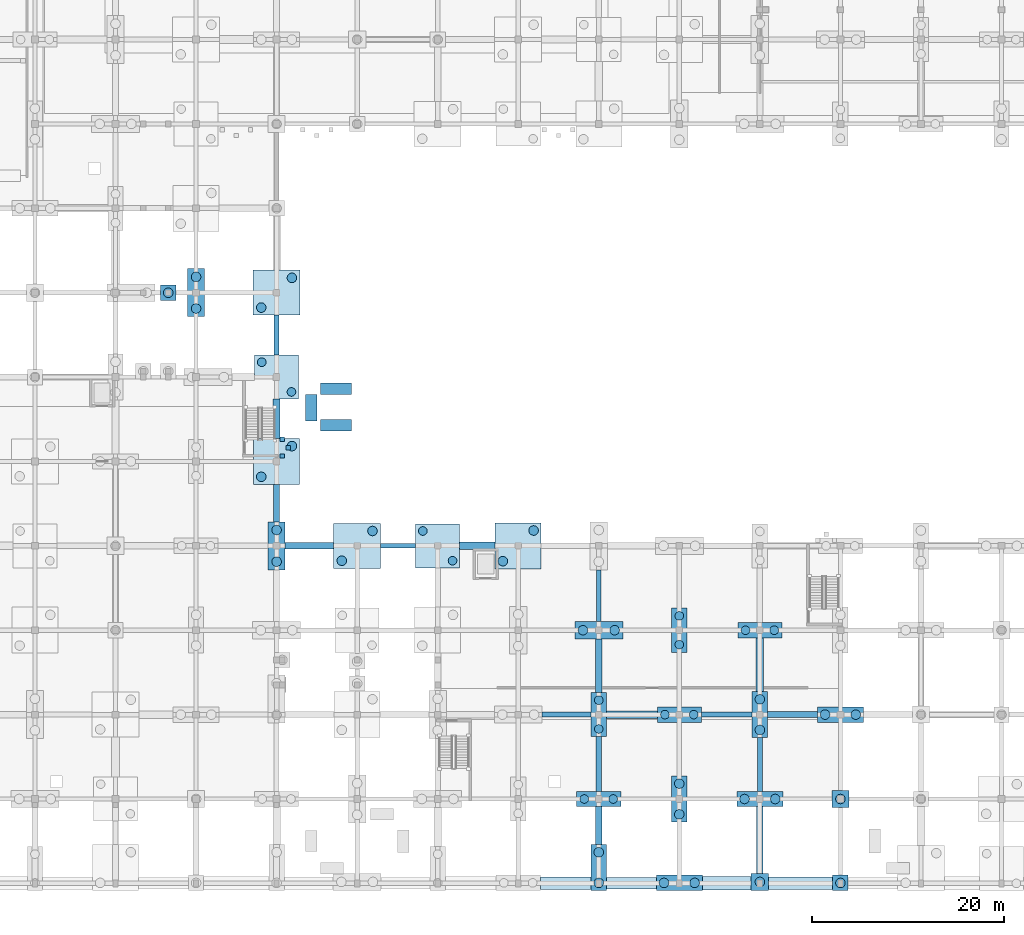
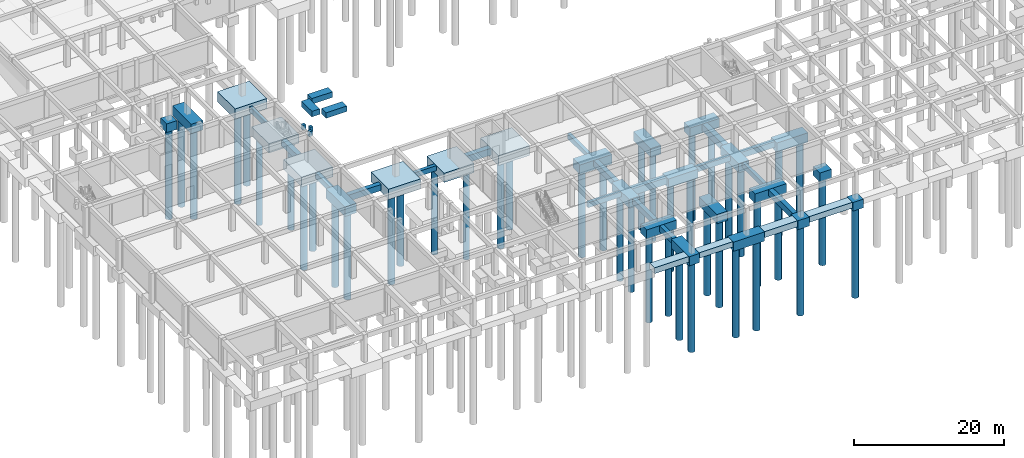
# One storey, part 3 of 41: 51 footings, 44 piles.
"""IFC4 building model written with IfcOpenShell, lengths in metres."""

from ifc_helpers import new_model, si_unit, direction, frame, origin, origin_2d, place, context, subcontext, project, spatial, rectangle, circle, extrude, material, material_profile, profile_set, type_object, element, save


model = new_model("IFC4")

# Units and contexts
model_context = context("Model", 3, precision=1e-05, world=origin(), true_north=direction((0.0, 1.0)))
body_context = subcontext(model_context, "Body", "Model", "MODEL_VIEW")
ifc_project = project(units=[si_unit("LENGTHUNIT", "METRE"), si_unit("AREAUNIT", "SQUARE_METRE"), si_unit("VOLUMEUNIT", "CUBIC_METRE"), si_unit("PLANEANGLEUNIT", "RADIAN"), si_unit("MASSUNIT", "GRAM", prefix="KILO")], contexts=[model_context])

# Site, building, storey
site_placement = place(None, origin())
site = spatial("IfcSite", under=ifc_project, at=site_placement, CompositionType="ELEMENT")
building_placement = place(site_placement, origin())
building = spatial("IfcBuilding", under=site, at=building_placement, Name="Kemercrest Conservatory and Botanical Centre", CompositionType="ELEMENT")
storey_placement = place(building_placement, frame((0.0, 0.0, -4.5)))
storey = spatial("IfcBuildingStorey", under=building, at=storey_placement, Name="B1", CompositionType="ELEMENT", Elevation=-4.5)

# Piles
ifc_material = material(Name="Concrete C40/50", Category="concrete")
ifc_material_profile_1 = material_profile(ifc_material, circle(Radius=0.5, at=origin_2d()), Name="BORED PILE 1000")
ifc_profile_set_1 = profile_set([ifc_material_profile_1], Name="Concrete C40/50")
pile_type_1 = type_object("IfcPileType", Name="BP-01", PredefinedType="BORED", material=ifc_profile_set_1)
for number, where, z_axis, x_axis, name in (
    (1, (33.199951171875, 67.949951171875, -1.449951171875), (0.0, 0.0, -1.0), (1.0, 0.0, 0.0), "Bored pile BP-01 #106"),
    (2, (33.199951171875, 71.25, -1.449951171875), (0.0, 0.0, -1.0), (1.0, 0.0, 0.0), "Bored pile BP-01 #107"),
):
    element("IfcPile", number, at=place(storey_placement, frame(where, z_axis=z_axis, x_axis=x_axis)), inside=storey, type_object=pile_type_1, Name=name, PredefinedType="BORED", context=body_context, shape_type="SweptSolid", body=[
        extrude(circle(Radius=0.5, at=origin_2d()), origin(), (0.0, 0.0, 1.0), 14.550048828125),
    ])
for number, where, z_axis, x_axis, name in (
    (3, (41.60009765625, 41.550048828125, -1.860107421875), (0.0, 0.0, -1.0), (1.0, 0.0, 0.0), "Bored pile BP-01 #126"),
    (4, (41.60009765625, 44.85009765625, -1.860107421875), (0.0, 0.0, -1.0), (1.0, 0.0, 0.0), "Bored pile BP-01 #127"),
):
    element("IfcPile", number, at=place(storey_placement, frame(where, z_axis=z_axis, x_axis=x_axis)), inside=storey, type_object=pile_type_1, Name=name, PredefinedType="BORED", context=body_context, shape_type="SweptSolid", body=[
        extrude(circle(Radius=0.5, at=origin_2d()), origin(), (0.0, 0.0, 1.0), 14.139892578125),
    ])
for number, where, z_axis, x_axis, name in (
    (5, (40.0, 50.39990234375, -1.909912109375), (0.0, 0.0, -1.0), (1.0, 0.0, 0.0), "Bored pile BP-01 #128"),
    (6, (43.199951171875, 53.60009765625, -1.909912109375), (0.0, 0.0, -1.0), (1.0, 0.0, 0.0), "Bored pile BP-01 #129"),
):
    element("IfcPile", number, at=place(storey_placement, frame(where, z_axis=z_axis, x_axis=x_axis)), inside=storey, type_object=pile_type_1, Name=name, PredefinedType="BORED", context=body_context, shape_type="SweptSolid", body=[
        extrude(circle(Radius=0.5, at=origin_2d()), origin(), (0.0, 0.0, 1.0), 14.090087890625),
    ])
for number, where, z_axis, x_axis, name in (
    (7, (40.0, 68.050048828125, -1.550048828125), (0.0, 0.0, -1.0), (1.0, 0.0, 0.0), "Bored pile BP-01 #132"),
    (8, (43.199951171875, 71.14990234375, -1.550048828125), (0.0, 0.0, -1.0), (1.0, 0.0, 0.0), "Bored pile BP-01 #133"),
    (9, (48.39990234375, 41.64990234375, -1.550048828125), (0.0, 0.0, -1.0), (1.0, 0.0, 0.0), "Bored pile BP-01 #152"),
    (10, (51.60009765625, 44.75, -1.550048828125), (0.0, 0.0, -1.0), (1.0, 0.0, 0.0), "Bored pile BP-01 #153"),
):
    element("IfcPile", number, at=place(storey_placement, frame(where, z_axis=z_axis, x_axis=x_axis)), inside=storey, type_object=pile_type_1, Name=name, PredefinedType="BORED", context=body_context, shape_type="SweptSolid", body=[
        extrude(circle(Radius=0.5, at=origin_2d()), origin(), (0.0, 0.0, 1.0), 14.449951171875),
    ])
for number, where, z_axis, x_axis, name in (
    (11, (65.199951171875, 41.60009765625, -1.909912109375), (0.0, 0.0, -1.0), (1.0, 0.0, 0.0), "Bored pile BP-01 #188"),
    (12, (68.39990234375, 44.800048828125, -1.909912109375), (0.0, 0.0, -1.0), (1.0, 0.0, 0.0), "Bored pile BP-01 #189"),
):
    element("IfcPile", number, at=place(storey_placement, frame(where, z_axis=z_axis, x_axis=x_axis)), inside=storey, type_object=pile_type_1, Name=name, PredefinedType="BORED", context=body_context, shape_type="SweptSolid", body=[
        extrude(circle(Radius=0.5, at=origin_2d()), origin(), (0.0, 0.0, 1.0), 14.090087890625),
    ])
for number, where, z_axis, x_axis, name in (
    (13, (75.199951171875, 8.050048828125, -1.39990234375), (0.0, 0.0, -1.0), (1.0, 0.0, 0.0), "Bored pile BP-01 #198"),
    (14, (75.199951171875, 11.25, -1.39990234375), (0.0, 0.0, -1.0), (1.0, 0.0, 0.0), "Bored pile BP-01 #199"),
):
    element("IfcPile", number, at=place(storey_placement, frame(where, z_axis=z_axis, x_axis=x_axis)), inside=storey, type_object=pile_type_1, Name=name, PredefinedType="BORED", context=body_context, shape_type="SweptSolid", body=[
        extrude(circle(Radius=0.5, at=origin_2d()), origin(), (0.0, 0.0, 1.0), 14.60009765625),
    ])
for number, where, z_axis, x_axis, name in (
    (15, (73.550048828125, 34.39990234375, -1.860107421875), (0.0, 0.0, -1.0), (1.0, 0.0, 0.0), "Bored pile BP-01 #204"),
    (16, (76.85009765625, 34.39990234375, -1.860107421875), (0.0, 0.0, -1.0), (1.0, 0.0, 0.0), "Bored pile BP-01 #205"),
):
    element("IfcPile", number, at=place(storey_placement, frame(where, z_axis=z_axis, x_axis=x_axis)), inside=storey, type_object=pile_type_1, Name=name, PredefinedType="BORED", context=body_context, shape_type="SweptSolid", body=[
        extrude(circle(Radius=0.5, at=origin_2d()), origin(), (0.0, 0.0, 1.0), 14.139892578125),
    ])
for number, where, z_axis, x_axis, name in (
    (17, (82.0, 8.050048828125, -1.39990234375), (0.0, 0.0, -1.0), (1.0, 0.0, 0.0), "Bored pile BP-01 #216"),
    (18, (85.199951171875, 8.050048828125, -1.39990234375), (0.0, 0.0, -1.0), (1.0, 0.0, 0.0), "Bored pile BP-01 #217"),
):
    element("IfcPile", number, at=place(storey_placement, frame(where, z_axis=z_axis, x_axis=x_axis)), inside=storey, type_object=pile_type_1, Name=name, PredefinedType="BORED", context=body_context, shape_type="SweptSolid", body=[
        extrude(circle(Radius=0.5, at=origin_2d()), origin(), (0.0, 0.0, 1.0), 14.60009765625),
    ])
for number, where, z_axis, x_axis, name in (
    (19, (83.60009765625, 15.199951171875, -1.81005859375), (0.0, 0.0, -1.0), (1.0, 0.0, 0.0), "Bored pile BP-01 #218"),
    (20, (83.60009765625, 18.39990234375, -1.81005859375), (0.0, 0.0, -1.0), (1.0, 0.0, 0.0), "Bored pile BP-01 #219"),
):
    element("IfcPile", number, at=place(storey_placement, frame(where, z_axis=z_axis, x_axis=x_axis)), inside=storey, type_object=pile_type_1, Name=name, PredefinedType="BORED", context=body_context, shape_type="SweptSolid", body=[
        extrude(circle(Radius=0.5, at=origin_2d()), origin(), (0.0, 0.0, 1.0), 14.18994140625),
    ])
pile_1_placement = place(storey_placement, frame((92.0, 8.14990234375, -1.35009765625), z_axis=(0.0, 0.0, -1.0), x_axis=(1.0, 0.0, 0.0)))
element("IfcPile", 21, at=pile_1_placement, inside=storey, type_object=pile_type_1, Name="Bored pile BP-01 #235", PredefinedType="BORED", context=body_context, shape_type="SweptSolid", body=[
    extrude(circle(Radius=0.5, at=origin_2d()), origin(), (0.0, 0.0, 1.0), 14.64990234375),
])
for number, where, z_axis, x_axis, name in (
    (22, (90.39990234375, 16.800048828125, -1.81005859375), (0.0, 0.0, -1.0), (1.0, 0.0, 0.0), "Bored pile BP-01 #236"),
    (23, (93.60009765625, 16.800048828125, -1.81005859375), (0.0, 0.0, -1.0), (1.0, 0.0, 0.0), "Bored pile BP-01 #237"),
    (24, (92.0, 24.0, -1.81005859375), (0.0, 0.0, -1.0), (1.0, 0.0, 0.0), "Bored pile BP-01 #238"),
    (25, (92.0, 27.199951171875, -1.81005859375), (0.0, 0.0, -1.0), (1.0, 0.0, 0.0), "Bored pile BP-01 #239"),
):
    element("IfcPile", number, at=place(storey_placement, frame(where, z_axis=z_axis, x_axis=x_axis)), inside=storey, type_object=pile_type_1, Name=name, PredefinedType="BORED", context=body_context, shape_type="SweptSolid", body=[
        extrude(circle(Radius=0.5, at=origin_2d()), origin(), (0.0, 0.0, 1.0), 14.18994140625),
    ])
pile_2_placement = place(storey_placement, frame((100.39990234375, 8.050048828125, -1.300048828125), z_axis=(0.0, 0.0, -1.0), x_axis=(1.0, 0.0, 0.0)))
element("IfcPile", 26, at=pile_2_placement, inside=storey, type_object=pile_type_1, Name="Bored pile BP-01 #254", PredefinedType="BORED", context=body_context, shape_type="SweptSolid", body=[
    extrude(circle(Radius=0.5, at=origin_2d()), origin(), (0.0, 0.0, 1.0), 14.699951171875),
])
pile_3_placement = place(storey_placement, frame((100.39990234375, 16.800048828125, -1.760009765625), z_axis=(0.0, 0.0, -1.0), x_axis=(1.0, 0.0, 0.0)))
element("IfcPile", 27, at=pile_3_placement, inside=storey, type_object=pile_type_1, Name="Bored pile BP-01 #255", PredefinedType="BORED", context=body_context, shape_type="SweptSolid", body=[
    extrude(circle(Radius=0.5, at=origin_2d()), origin(), (0.0, 0.0, 1.0), 14.239990234375),
])
for number, where, z_axis, x_axis, name in (
    (28, (98.800048828125, 25.60009765625, -1.81005859375), (0.0, 0.0, -1.0), (1.0, 0.0, 0.0), "Bored pile BP-01 #256"),
    (29, (102.0, 25.60009765625, -1.81005859375), (0.0, 0.0, -1.0), (1.0, 0.0, 0.0), "Bored pile BP-01 #257"),
):
    element("IfcPile", number, at=place(storey_placement, frame(where, z_axis=z_axis, x_axis=x_axis)), inside=storey, type_object=pile_type_1, Name=name, PredefinedType="BORED", context=body_context, shape_type="SweptSolid", body=[
        extrude(circle(Radius=0.5, at=origin_2d()), origin(), (0.0, 0.0, 1.0), 14.18994140625),
    ])
pile_4_placement = place(storey_placement, frame((30.300048828125, 69.60009765625, -1.300048828125), z_axis=(0.0, 0.0, -1.0), x_axis=(1.0, 0.0, 0.0)))
element("IfcPile", 30, at=pile_4_placement, inside=storey, type_object=pile_type_1, Name="Bored pile BP-01 #543", PredefinedType="BORED", context=body_context, shape_type="SweptSolid", body=[
    extrude(circle(Radius=0.5, at=origin_2d()), origin(), (0.0, 0.0, 1.0), 14.699951171875),
])
ifc_material_profile_2 = material_profile(ifc_material, circle(Radius=0.449951171875, at=origin_2d()), Name="BORED PILE 900")
ifc_profile_set_2 = profile_set([ifc_material_profile_2], Name="Concrete C40/50")
pile_type_2 = type_object("IfcPileType", Name="BP-02", PredefinedType="BORED", material=ifc_profile_set_2)
for number, where, z_axis, x_axis, name in (
    (31, (40.050048828125, 62.35009765625, -1.81005859375), (0.0, 0.0, -1.0), (1.0, 0.0, 0.0), "Bored pile BP-02 #130"),
    (32, (43.14990234375, 59.25, -1.81005859375), (0.0, 0.0, -1.0), (1.0, 0.0, 0.0), "Bored pile BP-02 #131"),
    (33, (56.85009765625, 44.75, -1.81005859375), (0.0, 0.0, -1.0), (1.0, 0.0, 0.0), "Bored pile BP-02 #170"),
    (34, (59.949951171875, 41.64990234375, -1.81005859375), (0.0, 0.0, -1.0), (1.0, 0.0, 0.0), "Bored pile BP-02 #171"),
):
    element("IfcPile", number, at=place(storey_placement, frame(where, z_axis=z_axis, x_axis=x_axis)), inside=storey, type_object=pile_type_2, Name=name, PredefinedType="BORED", context=body_context, shape_type="SweptSolid", body=[
        extrude(circle(Radius=0.449951171875, at=origin_2d()), origin(), (0.0, 0.0, 1.0), 14.18994140625),
    ])
for number, where, z_axis, x_axis, name in (
    (35, (73.699951171875, 16.800048828125, -1.760009765625), (0.0, 0.0, -1.0), (1.0, 0.0, 0.0), "Bored pile BP-02 #200"),
    (36, (76.699951171875, 16.800048828125, -1.760009765625), (0.0, 0.0, -1.0), (1.0, 0.0, 0.0), "Bored pile BP-02 #201"),
    (37, (75.199951171875, 24.10009765625, -1.760009765625), (0.0, 0.0, -1.0), (1.0, 0.0, 0.0), "Bored pile BP-02 #202"),
    (38, (75.199951171875, 27.10009765625, -1.760009765625), (0.0, 0.0, -1.0), (1.0, 0.0, 0.0), "Bored pile BP-02 #203"),
    (39, (82.10009765625, 25.60009765625, -1.760009765625), (0.0, 0.0, -1.0), (1.0, 0.0, 0.0), "Bored pile BP-02 #220"),
    (40, (85.10009765625, 25.60009765625, -1.760009765625), (0.0, 0.0, -1.0), (1.0, 0.0, 0.0), "Bored pile BP-02 #221"),
    (41, (83.60009765625, 32.89990234375, -1.760009765625), (0.0, 0.0, -1.0), (1.0, 0.0, 0.0), "Bored pile BP-02 #222"),
    (42, (83.60009765625, 35.89990234375, -1.760009765625), (0.0, 0.0, -1.0), (1.0, 0.0, 0.0), "Bored pile BP-02 #223"),
    (43, (90.5, 34.39990234375, -1.760009765625), (0.0, 0.0, -1.0), (1.0, 0.0, 0.0), "Bored pile BP-02 #240"),
    (44, (93.5, 34.39990234375, -1.760009765625), (0.0, 0.0, -1.0), (1.0, 0.0, 0.0), "Bored pile BP-02 #241"),
):
    element("IfcPile", number, at=place(storey_placement, frame(where, z_axis=z_axis, x_axis=x_axis)), inside=storey, type_object=pile_type_2, Name=name, PredefinedType="BORED", context=body_context, shape_type="SweptSolid", body=[
        extrude(circle(Radius=0.449951171875, at=origin_2d()), origin(), (0.0, 0.0, 1.0), 14.239990234375),
    ])

# Footings
footing_type_1 = type_object("IfcFootingType", Name="FB-01", PredefinedType="FOOTING_BEAM", material=ifc_material)
footing_1_placement = place(storey_placement, frame((41.60009765625, 47.64990234375, -1.31005859375), z_axis=(0.0, 0.0, 1.0), x_axis=(1.0, 0.0, 0.0)))
element("IfcFooting", 45, at=footing_1_placement, inside=storey, type_object=footing_type_1, Name="Seismic tie footing beam FB-01", PredefinedType="FOOTING_BEAM", context=body_context, shape_type="SweptSolid", body=[
    extrude(rectangle(XDim=0.60009765625, YDim=3.89990234375, at=origin_2d()), origin(), (0.0, 0.0, 1.0), 0.89990234375),
])
footing_2_placement = place(storey_placement, frame((75.199951171875, 20.449951171875, -1.31005859375), z_axis=(0.0, 0.0, 1.0), x_axis=(1.0, 0.0, 0.0)))
element("IfcFooting", 46, at=footing_2_placement, inside=storey, type_object=footing_type_1, Name="Seismic tie footing beam FB-01", PredefinedType="FOOTING_BEAM", context=body_context, shape_type="SweptSolid", body=[
    extrude(rectangle(XDim=0.60009765625, YDim=5.699951171875, at=origin_2d()), origin(), (0.0, 0.0, 1.0), 0.89990234375),
])
footing_type_2 = type_object("IfcFootingType", Name="FB-02", PredefinedType="FOOTING_BEAM", material=ifc_material)
footing_3_placement = place(storey_placement, frame((45.02490234375, 43.199951171875, -1.409912109375), z_axis=(0.0, 0.0, 1.0), x_axis=(1.0, 0.0, 0.0)))
element("IfcFooting", 47, at=footing_3_placement, inside=storey, type_object=footing_type_2, Name="Seismic tie footing beam FB-02", PredefinedType="FOOTING_BEAM", context=body_context, shape_type="SweptSolid", body=[
    extrude(rectangle(XDim=5.050048828125, YDim=0.699951171875, at=origin_2d()), origin(), (0.0, 0.0, 1.0), 1.0),
])
footing_4_placement = place(storey_placement, frame((41.60009765625, 56.449951171875, -1.409912109375), z_axis=(0.0, 0.0, 1.0), x_axis=(1.0, 0.0, 0.0)))
element("IfcFooting", 48, at=footing_4_placement, inside=storey, type_object=footing_type_2, Name="Seismic tie footing beam FB-02", PredefinedType="FOOTING_BEAM", context=body_context, shape_type="SweptSolid", body=[
    extrude(rectangle(XDim=0.699951171875, YDim=4.10009765625, at=origin_2d()), origin(), (0.0, 0.0, 1.0), 1.0),
])
footing_5_placement = place(storey_placement, frame((75.199951171875, 30.699951171875, -1.409912109375), z_axis=(0.0, 0.0, 1.0), x_axis=(1.0, 0.0, 0.0)))
element("IfcFooting", 49, at=footing_5_placement, inside=storey, type_object=footing_type_2, Name="Seismic tie footing beam FB-02", PredefinedType="FOOTING_BEAM", context=body_context, shape_type="SweptSolid", body=[
    extrude(rectangle(XDim=0.699951171875, YDim=5.60009765625, at=origin_2d()), origin(), (0.0, 0.0, 1.0), 1.0),
])
footing_6_placement = place(storey_placement, frame((92.0, 12.52490234375, -1.409912109375), z_axis=(0.0, 0.0, 1.0), x_axis=(1.0, 0.0, 0.0)))
element("IfcFooting", 50, at=footing_6_placement, inside=storey, type_object=footing_type_2, Name="Seismic tie footing beam FB-02", PredefinedType="FOOTING_BEAM", context=body_context, shape_type="SweptSolid", body=[
    extrude(rectangle(XDim=0.699951171875, YDim=6.949951171875, at=origin_2d()), origin(), (0.0, 0.0, 1.0), 1.0),
])
footing_type_3 = type_object("IfcFootingType", Name="FB-03", PredefinedType="FOOTING_BEAM", material=ifc_material)
footing_7_placement = place(storey_placement, frame((71.85009765625, 25.60009765625, -1.2099609375), z_axis=(0.0, 0.0, 1.0), x_axis=(1.0, 0.0, 0.0)))
element("IfcFooting", 51, at=footing_7_placement, inside=storey, type_object=footing_type_3, Name="Seismic tie footing beam FB-03", PredefinedType="FOOTING_BEAM", context=body_context, shape_type="SweptSolid", body=[
    extrude(rectangle(XDim=5.10009765625, YDim=0.5, at=origin_2d()), origin(), (0.0, 0.0, 1.0), 0.800048828125),
])
footing_8_placement = place(storey_placement, frame((54.27490234375, 43.199951171875, -1.2099609375), z_axis=(0.0, 0.0, 1.0), x_axis=(1.0, 0.0, 0.0)))
element("IfcFooting", 52, at=footing_8_placement, inside=storey, type_object=footing_type_3, Name="Seismic tie footing beam FB-03", PredefinedType="FOOTING_BEAM", context=body_context, shape_type="SweptSolid", body=[
    extrude(rectangle(XDim=3.64990234375, YDim=0.5, at=origin_2d()), origin(), (0.0, 0.0, 1.0), 0.800048828125),
])
footing_9_placement = place(storey_placement, frame((41.60009765625, 65.175048828125, -1.2099609375), z_axis=(0.0, 0.0, 1.0), x_axis=(1.0, 0.0, 0.0)))
element("IfcFooting", 53, at=footing_9_placement, inside=storey, type_object=footing_type_3, Name="Seismic tie footing beam FB-03", PredefinedType="FOOTING_BEAM", context=body_context, shape_type="SweptSolid", body=[
    extrude(rectangle(XDim=0.5, YDim=4.14990234375, at=origin_2d()), origin(), (0.0, 0.0, 1.0), 0.800048828125),
])
footing_10_placement = place(storey_placement, frame((75.199951171875, 38.0, -1.2099609375), z_axis=(0.0, 0.0, 1.0), x_axis=(1.0, 0.0, 0.0)))
element("IfcFooting", 54, at=footing_10_placement, inside=storey, type_object=footing_type_3, Name="Seismic tie footing beam FB-03", PredefinedType="FOOTING_BEAM", context=body_context, shape_type="SweptSolid", body=[
    extrude(rectangle(XDim=0.5, YDim=5.39990234375, at=origin_2d()), origin(), (0.0, 0.0, 1.0), 0.800048828125),
])
footing_11_placement = place(storey_placement, frame((92.0, 20.39990234375, -1.2099609375), z_axis=(0.0, 0.0, 1.0), x_axis=(1.0, 0.0, 0.0)))
element("IfcFooting", 55, at=footing_11_placement, inside=storey, type_object=footing_type_3, Name="Seismic tie footing beam FB-03", PredefinedType="FOOTING_BEAM", context=body_context, shape_type="SweptSolid", body=[
    extrude(rectangle(XDim=0.5, YDim=5.60009765625, at=origin_2d()), origin(), (0.0, 0.0, 1.0), 0.800048828125),
])
footing_type_4 = type_object("IfcFootingType", Name="FB-04", PredefinedType="FOOTING_BEAM", material=ifc_material)
footing_12_placement = place(storey_placement, frame((78.64990234375, 25.60009765625, -1.510009765625), z_axis=(0.0, 0.0, 1.0), x_axis=(1.0, 0.0, 0.0)))
element("IfcFooting", 56, at=footing_12_placement, inside=storey, type_object=footing_type_4, Name="Seismic tie footing beam FB-04", PredefinedType="FOOTING_BEAM", context=body_context, shape_type="SweptSolid", body=[
    extrude(rectangle(XDim=5.300048828125, YDim=0.800048828125, at=origin_2d()), origin(), (0.0, 0.0, 1.0), 1.10009765625),
])
footing_13_placement = place(storey_placement, frame((62.550048828125, 43.199951171875, -1.510009765625), z_axis=(0.0, 0.0, 1.0), x_axis=(1.0, 0.0, 0.0)))
element("IfcFooting", 57, at=footing_13_placement, inside=storey, type_object=footing_type_4, Name="Seismic tie footing beam FB-04", PredefinedType="FOOTING_BEAM", context=body_context, shape_type="SweptSolid", body=[
    extrude(rectangle(XDim=3.699951171875, YDim=0.800048828125, at=origin_2d()), origin(), (0.0, 0.0, 1.0), 1.10009765625),
])
footing_14_placement = place(storey_placement, frame((92.0, 30.800048828125, -1.510009765625), z_axis=(0.0, 0.0, 1.0), x_axis=(1.0, 0.0, 0.0)))
element("IfcFooting", 58, at=footing_14_placement, inside=storey, type_object=footing_type_4, Name="Seismic tie footing beam FB-04", PredefinedType="FOOTING_BEAM", context=body_context, shape_type="SweptSolid", body=[
    extrude(rectangle(XDim=0.800048828125, YDim=5.60009765625, at=origin_2d()), origin(), (0.0, 0.0, 1.0), 1.10009765625),
])
footing_type_5 = type_object("IfcFootingType", Name="FB-05", PredefinedType="FOOTING_BEAM", material=ifc_material)
footing_15_placement = place(storey_placement, frame((88.550048828125, 25.60009765625, -1.260009765625), z_axis=(0.0, 0.0, 1.0), x_axis=(1.0, 0.0, 0.0)))
element("IfcFooting", 59, at=footing_15_placement, inside=storey, type_object=footing_type_5, Name="Seismic tie footing beam FB-05", PredefinedType="FOOTING_BEAM", context=body_context, shape_type="SweptSolid", body=[
    extrude(rectangle(XDim=5.300048828125, YDim=0.550048828125, at=origin_2d()), origin(), (0.0, 0.0, 1.0), 0.85009765625),
])
footing_type_6 = type_object("IfcFootingType", Name="FB-06", PredefinedType="FOOTING_BEAM", material=ifc_material)
footing_16_placement = place(storey_placement, frame((95.39990234375, 25.60009765625, -1.35986328125), z_axis=(0.0, 0.0, 1.0), x_axis=(1.0, 0.0, 0.0)))
element("IfcFooting", 60, at=footing_16_placement, inside=storey, type_object=footing_type_6, Name="Seismic tie footing beam FB-06", PredefinedType="FOOTING_BEAM", context=body_context, shape_type="SweptSolid", body=[
    extrude(rectangle(XDim=5.199951171875, YDim=0.64990234375, at=origin_2d()), origin(), (0.0, 0.0, 1.0), 0.949951171875),
])
footing_17_placement = place(storey_placement, frame((75.199951171875, 14.02490234375, -1.35986328125), z_axis=(0.0, 0.0, 1.0), x_axis=(1.0, 0.0, 0.0)))
element("IfcFooting", 61, at=footing_17_placement, inside=storey, type_object=footing_type_6, Name="Seismic tie footing beam FB-06", PredefinedType="FOOTING_BEAM", context=body_context, shape_type="SweptSolid", body=[
    extrude(rectangle(XDim=0.64990234375, YDim=3.949951171875, at=origin_2d()), origin(), (0.0, 0.0, 1.0), 0.949951171875),
])
footing_type_7 = type_object("IfcFootingType", Name="PC-01", PredefinedType="PILE_CAP", material=ifc_material)
for number, where, z_axis, x_axis, name in (
    (62, (100.39990234375, 8.050048828125, -1.39990234375), (0.0, 0.0, 1.0), (1.0, 0.0, 0.0), "Pile cap PC-01 at (100.4, 8.1)"),
    (63, (30.300048828125, 69.60009765625, -1.39990234375), (0.0, 0.0, 1.0), (1.0, 0.0, 0.0), "Pile cap PC-01 at (30.3, 69.6)"),
):
    element("IfcFooting", number, at=place(storey_placement, frame(where, z_axis=z_axis, x_axis=x_axis)), inside=storey, type_object=footing_type_7, Name=name, PredefinedType="PILE_CAP", context=body_context, shape_type="SweptSolid", body=[
        extrude(rectangle(XDim=1.60009765625, YDim=1.60009765625, at=origin_2d()), origin(), (0.0, 0.0, 1.0), 1.39990234375),
    ])
footing_type_8 = type_object("IfcFootingType", Name="PC-02", PredefinedType="PILE_CAP", material=ifc_material)
for number, where, z_axis, x_axis, name in (
    (64, (83.60009765625, 8.050048828125, -1.5), (0.0, 0.0, 1.0), (1.0, 0.0, 0.0), "Pile cap PC-02 at (83.6, 8.1)"),
    (65, (92.0, 16.800048828125, -1.909912109375), (0.0, 0.0, 1.0), (1.0, 0.0, 0.0), "Pile cap PC-02 at (92.0, 16.8)"),
    (66, (100.39990234375, 25.60009765625, -1.909912109375), (0.0, 0.0, 1.0), (1.0, 0.0, 0.0), "Pile cap PC-02 at (100.4, 25.6)"),
):
    element("IfcFooting", number, at=place(storey_placement, frame(where, z_axis=z_axis, x_axis=x_axis)), inside=storey, type_object=footing_type_8, Name=name, PredefinedType="PILE_CAP", context=body_context, shape_type="SweptSolid", body=[
        extrude(rectangle(XDim=4.800048828125, YDim=1.60009765625, at=origin_2d()), origin(), (0.0, 0.0, 1.0), 1.5),
    ])
footing_type_9 = type_object("IfcFootingType", Name="PC-03", PredefinedType="PILE_CAP", material=ifc_material)
for number, where, z_axis, x_axis, name in (
    (67, (75.199951171875, 9.64990234375, -1.5), (0.0, 0.0, 1.0), (1.0, 0.0, 0.0), "Pile cap PC-03 at (75.2, 9.7)"),
    (68, (83.60009765625, 16.800048828125, -1.909912109375), (0.0, 0.0, 1.0), (1.0, 0.0, 0.0), "Pile cap PC-03 at (83.6, 16.8)"),
    (69, (92.0, 25.60009765625, -1.909912109375), (0.0, 0.0, 1.0), (1.0, 0.0, 0.0), "Pile cap PC-03 at (92.0, 25.6)"),
):
    element("IfcFooting", number, at=place(storey_placement, frame(where, z_axis=z_axis, x_axis=x_axis)), inside=storey, type_object=footing_type_9, Name=name, PredefinedType="PILE_CAP", context=body_context, shape_type="SweptSolid", body=[
        extrude(rectangle(XDim=1.60009765625, YDim=4.800048828125, at=origin_2d()), origin(), (0.0, 0.0, 1.0), 1.5),
    ])
footing_type_10 = type_object("IfcFootingType", Name="PC-04", PredefinedType="PILE_CAP", material=ifc_material)
for number, where, z_axis, x_axis, name in (
    (70, (41.60009765625, 52.0, -2.010009765625), (0.0, 0.0, 1.0), (1.0, 0.0, 0.0), "Pile cap PC-04 at (41.6, 52.0)"),
    (71, (66.800048828125, 43.199951171875, -2.010009765625), (0.0, 0.0, 1.0), (1.0, 0.0, 0.0), "Pile cap PC-04 at (66.8, 43.2)"),
):
    element("IfcFooting", number, at=place(storey_placement, frame(where, z_axis=z_axis, x_axis=x_axis)), inside=storey, type_object=footing_type_10, Name=name, PredefinedType="PILE_CAP", context=body_context, shape_type="SweptSolid", body=[
        extrude(rectangle(XDim=4.800048828125, YDim=4.800048828125, at=origin_2d()), origin(), (0.0, 0.0, 1.0), 1.60009765625),
    ])
footing_type_11 = type_object("IfcFootingType", Name="PC-05", PredefinedType="PILE_CAP", material=ifc_material)
for number, where, z_axis, x_axis, name in (
    (72, (41.60009765625, 60.800048828125, -1.909912109375), (0.0, 0.0, 1.0), (1.0, 0.0, 0.0), "Pile cap PC-05 at (41.6, 60.8)"),
    (73, (58.39990234375, 43.199951171875, -1.909912109375), (0.0, 0.0, 1.0), (1.0, 0.0, 0.0), "Pile cap PC-05 at (58.4, 43.2)"),
):
    element("IfcFooting", number, at=place(storey_placement, frame(where, z_axis=z_axis, x_axis=x_axis)), inside=storey, type_object=footing_type_11, Name=name, PredefinedType="PILE_CAP", context=body_context, shape_type="SweptSolid", body=[
        extrude(rectangle(XDim=4.60009765625, YDim=4.60009765625, at=origin_2d()), origin(), (0.0, 0.0, 1.0), 1.5),
    ])
footing_type_12 = type_object("IfcFootingType", Name="PC-08", PredefinedType="PILE_CAP", material=ifc_material)
for number, where, z_axis, x_axis, name in (
    (74, (75.199951171875, 16.800048828125, -1.85986328125), (0.0, 0.0, 1.0), (1.0, 0.0, 0.0), "Pile cap PC-08 at (75.2, 16.8)"),
    (75, (83.60009765625, 25.60009765625, -1.85986328125), (0.0, 0.0, 1.0), (1.0, 0.0, 0.0), "Pile cap PC-08 at (83.6, 25.6)"),
    (76, (92.0, 34.39990234375, -1.85986328125), (0.0, 0.0, 1.0), (1.0, 0.0, 0.0), "Pile cap PC-08 at (92.0, 34.4)"),
):
    element("IfcFooting", number, at=place(storey_placement, frame(where, z_axis=z_axis, x_axis=x_axis)), inside=storey, type_object=footing_type_12, Name=name, PredefinedType="PILE_CAP", context=body_context, shape_type="SweptSolid", body=[
        extrude(rectangle(XDim=4.60009765625, YDim=1.60009765625, at=origin_2d()), origin(), (0.0, 0.0, 1.0), 1.449951171875),
    ])
footing_type_13 = type_object("IfcFootingType", Name="PC-09", PredefinedType="PILE_CAP", material=ifc_material)
for number, where, z_axis, x_axis, name in (
    (77, (75.199951171875, 25.60009765625, -1.85986328125), (0.0, 0.0, 1.0), (1.0, 0.0, 0.0), "Pile cap PC-09 at (75.2, 25.6)"),
    (78, (83.60009765625, 34.39990234375, -1.85986328125), (0.0, 0.0, 1.0), (1.0, 0.0, 0.0), "Pile cap PC-09 at (83.6, 34.4)"),
):
    element("IfcFooting", number, at=place(storey_placement, frame(where, z_axis=z_axis, x_axis=x_axis)), inside=storey, type_object=footing_type_13, Name=name, PredefinedType="PILE_CAP", context=body_context, shape_type="SweptSolid", body=[
        extrude(rectangle(XDim=1.60009765625, YDim=4.60009765625, at=origin_2d()), origin(), (0.0, 0.0, 1.0), 1.449951171875),
    ])
footing_type_14 = type_object("IfcFootingType", Name="PC-12", PredefinedType="PILE_CAP", material=ifc_material)
for number, where, z_axis, x_axis, name in (
    (79, (92.0, 8.14990234375, -1.4501953125), (0.0, 0.0, 1.0), (1.0, 0.0, 0.0), "Pile cap PC-12 at (92.0, 8.2)"),
    (80, (100.39990234375, 16.800048828125, -1.85986328125), (0.0, 0.0, 1.0), (1.0, 0.0, 0.0), "Pile cap PC-12 at (100.4, 16.8)"),
):
    element("IfcFooting", number, at=place(storey_placement, frame(where, z_axis=z_axis, x_axis=x_axis)), inside=storey, type_object=footing_type_14, Name=name, PredefinedType="PILE_CAP", context=body_context, shape_type="SweptSolid", body=[
        extrude(rectangle(XDim=1.800048828125, YDim=1.800048828125, at=origin_2d()), origin(), (0.0, 0.0, 1.0), 1.449951171875),
    ])
footing_type_15 = type_object("IfcFootingType", Name="PC-13", PredefinedType="PILE_CAP", material=ifc_material)
footing_18_placement = place(storey_placement, frame((75.199951171875, 34.39990234375, -1.9599609375), z_axis=(0.0, 0.0, 1.0), x_axis=(1.0, 0.0, 0.0)))
element("IfcFooting", 81, at=footing_18_placement, inside=storey, type_object=footing_type_15, Name="Pile cap PC-13 at (75.2, 34.4)", PredefinedType="PILE_CAP", context=body_context, shape_type="SweptSolid", body=[
    extrude(rectangle(XDim=5.0, YDim=1.800048828125, at=origin_2d()), origin(), (0.0, 0.0, 1.0), 1.550048828125),
])
footing_type_16 = type_object("IfcFootingType", Name="PC-14", PredefinedType="PILE_CAP", material=ifc_material)
for number, where, z_axis, x_axis, name in (
    (82, (33.199951171875, 69.60009765625, -1.5498046875), (0.0, 0.0, 1.0), (1.0, 0.0, 0.0), "Pile cap PC-14 at (33.2, 69.6)"),
    (83, (41.60009765625, 43.199951171875, -1.9599609375), (0.0, 0.0, 1.0), (1.0, 0.0, 0.0), "Pile cap PC-14 at (41.6, 43.2)"),
):
    element("IfcFooting", number, at=place(storey_placement, frame(where, z_axis=z_axis, x_axis=x_axis)), inside=storey, type_object=footing_type_16, Name=name, PredefinedType="PILE_CAP", context=body_context, shape_type="SweptSolid", body=[
        extrude(rectangle(XDim=1.800048828125, YDim=5.0, at=origin_2d()), origin(), (0.0, 0.0, 1.0), 1.550048828125),
    ])
footing_type_17 = type_object("IfcFootingType", Name="PC-16", PredefinedType="PILE_CAP", material=ifc_material)
for number, where, z_axis, x_axis, name in (
    (84, (41.60009765625, 69.60009765625, -1.64990234375), (0.0, 0.0, 1.0), (1.0, 0.0, 0.0), "Pile cap PC-16 at (41.6, 69.6)"),
    (85, (50.0, 43.199951171875, -1.64990234375), (0.0, 0.0, 1.0), (1.0, 0.0, 0.0), "Pile cap PC-16 at (50.0, 43.2)"),
):
    element("IfcFooting", number, at=place(storey_placement, frame(where, z_axis=z_axis, x_axis=x_axis)), inside=storey, type_object=footing_type_17, Name=name, PredefinedType="PILE_CAP", context=body_context, shape_type="SweptSolid", body=[
        extrude(rectangle(XDim=4.89990234375, YDim=4.699951171875, at=origin_2d()), origin(), (0.0, 0.0, 1.0), 1.64990234375),
    ])
footing_type_18 = type_object("IfcFootingType", Name="PF-01", PredefinedType="PAD_FOOTING", material=ifc_material)
for number, where, z_axis, x_axis, name in (
    (86, (42.199951171875, 52.56396484375, 3.52001953125), (0.0, 0.0, 1.0), (0.0, 1.0, 0.0), "Threshold pad ED006 grade pad footing L"),
    (87, (42.199951171875, 54.31396484375, 3.52001953125), (0.0, 0.0, 1.0), (0.0, 1.0, 0.0), "Threshold pad ED006 grade pad footing R"),
    (88, (42.800048828125, 53.43896484375, 3.52001953125), (0.0, 0.0, 1.0), (0.0, 1.0, 0.0), "Threshold pad ED006 grade pad footing F"),
):
    element("IfcFooting", number, at=place(storey_placement, frame(where, z_axis=z_axis, x_axis=x_axis)), inside=storey, type_object=footing_type_18, Name=name, PredefinedType="PAD_FOOTING", context=body_context, shape_type="SweptSolid", body=[
        extrude(rectangle(XDim=0.449951171875, YDim=0.449951171875, at=origin_2d()), origin(), (0.0, 0.0, 1.0), 0.800048828125),
    ])
footing_type_19 = type_object("IfcFootingType", Name="PF-02", PredefinedType="PAD_FOOTING", material=ifc_material)
for number, where, z_axis, x_axis, name in (
    (89, (47.800048828125, 55.800048828125, 3.320068359375), (0.0, 0.0, 1.0), (1.0, 0.0, 0.0), "Forecourt plaza AR-05 grade strip footing S"),
    (90, (47.800048828125, 59.60009765625, 3.320068359375), (0.0, 0.0, 1.0), (1.0, 0.0, 0.0), "Forecourt plaza AR-05 grade strip footing N"),
):
    element("IfcFooting", number, at=place(storey_placement, frame(where, z_axis=z_axis, x_axis=x_axis)), inside=storey, type_object=footing_type_19, Name=name, PredefinedType="PAD_FOOTING", context=body_context, shape_type="SweptSolid", body=[
        extrude(rectangle(XDim=3.199951171875, YDim=1.199951171875, at=origin_2d()), origin(), (0.0, 0.0, 1.0), 0.89990234375),
    ])
footing_type_20 = type_object("IfcFootingType", Name="PF-03", PredefinedType="PAD_FOOTING", material=ifc_material)
footing_19_placement = place(storey_placement, frame((45.199951171875, 57.60009765625, 3.5), z_axis=(0.0, 0.0, 1.0), x_axis=(1.0, 0.0, 0.0)))
element("IfcFooting", 91, at=footing_19_placement, inside=storey, type_object=footing_type_20, Name="Accessible ramp AR-05 grade toe strip footing", PredefinedType="PAD_FOOTING", context=body_context, shape_type="SweptSolid", body=[
    extrude(rectangle(XDim=1.199951171875, YDim=2.800048828125, at=origin_2d()), origin(), (0.0, 0.0, 1.0), 0.89990234375),
])
footing_type_21 = type_object("IfcFootingType", Name="SF-01", PredefinedType="STRIP_FOOTING", material=ifc_material)
footing_20_placement = place(storey_placement, frame((78.60009765625, 8.0, -0.89990234375), z_axis=(0.0, 0.0, 1.0), x_axis=(1.0, 0.0, 0.0)))
element("IfcFooting", 92, at=footing_20_placement, inside=storey, type_object=footing_type_21, Name="Perimeter strip footing SF-01", PredefinedType="STRIP_FOOTING", context=body_context, shape_type="SweptSolid", body=[
    extrude(rectangle(XDim=5.199951171875, YDim=1.199951171875, at=origin_2d()), origin(), (0.0, 0.0, 1.0), 0.89990234375),
])
footing_type_22 = type_object("IfcFootingType", Name="SF-02", PredefinedType="STRIP_FOOTING", material=ifc_material)
footing_21_placement = place(storey_placement, frame((88.550048828125, 8.0, -1.0), z_axis=(0.0, 0.0, 1.0), x_axis=(1.0, 0.0, 0.0)))
element("IfcFooting", 93, at=footing_21_placement, inside=storey, type_object=footing_type_22, Name="Perimeter strip footing SF-02", PredefinedType="STRIP_FOOTING", context=body_context, shape_type="SweptSolid", body=[
    extrude(rectangle(XDim=5.10009765625, YDim=1.39990234375, at=origin_2d()), origin(), (0.0, 0.0, 1.0), 1.0),
])
footing_type_23 = type_object("IfcFootingType", Name="SF-03", PredefinedType="STRIP_FOOTING", material=ifc_material)
footing_22_placement = place(storey_placement, frame((71.75, 8.0, -0.9501953125), z_axis=(0.0, 0.0, 1.0), x_axis=(1.0, 0.0, 0.0)))
element("IfcFooting", 94, at=footing_22_placement, inside=storey, type_object=footing_type_23, Name="Perimeter strip footing SF-03", PredefinedType="STRIP_FOOTING", context=body_context, shape_type="SweptSolid", body=[
    extrude(rectangle(XDim=5.300048828125, YDim=1.300048828125, at=origin_2d()), origin(), (0.0, 0.0, 1.0), 0.949951171875),
])
footing_23_placement = place(storey_placement, frame((96.25, 8.0, -0.9501953125), z_axis=(0.0, 0.0, 1.0), x_axis=(1.0, 0.0, 0.0)))
element("IfcFooting", 95, at=footing_23_placement, inside=storey, type_object=footing_type_23, Name="Perimeter strip footing SF-03", PredefinedType="STRIP_FOOTING", context=body_context, shape_type="SweptSolid", body=[
    extrude(rectangle(XDim=6.699951171875, YDim=1.300048828125, at=origin_2d()), origin(), (0.0, 0.0, 1.0), 0.949951171875),
])

save(model, "model.ifc")
